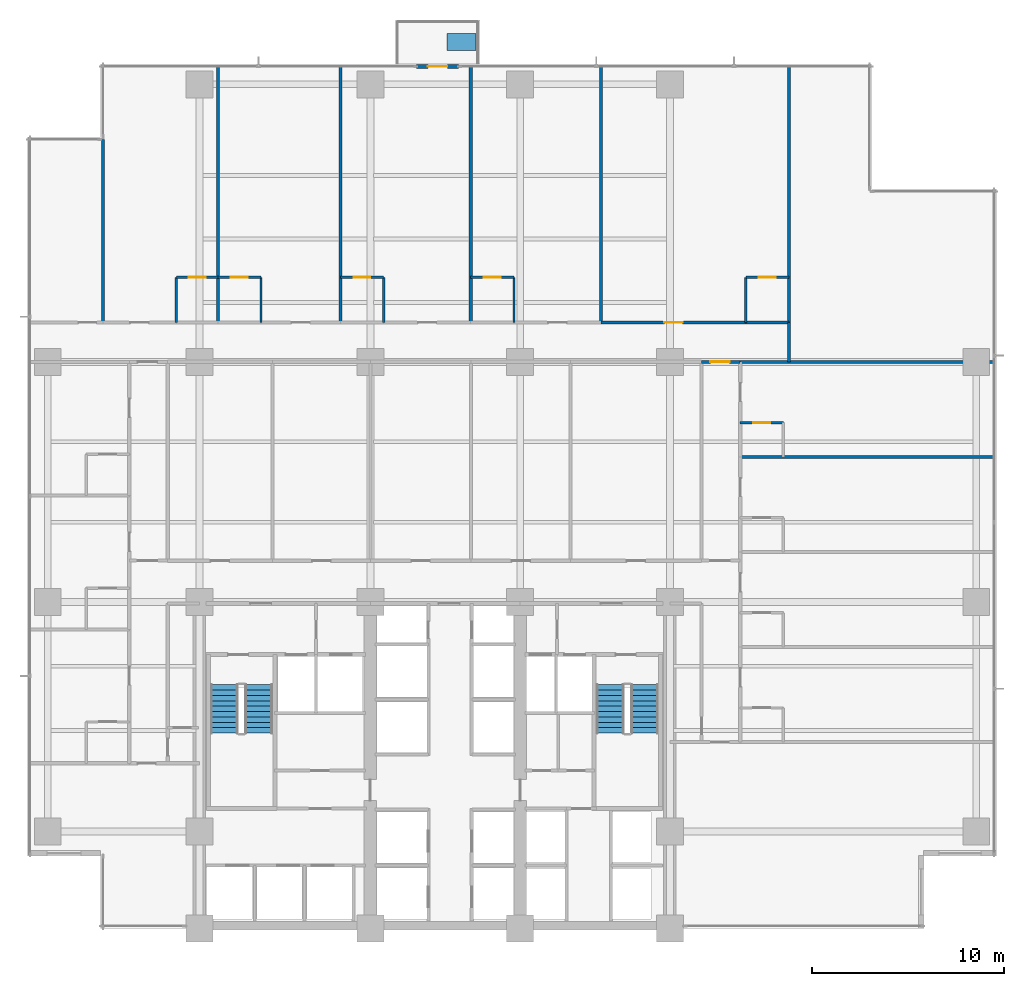
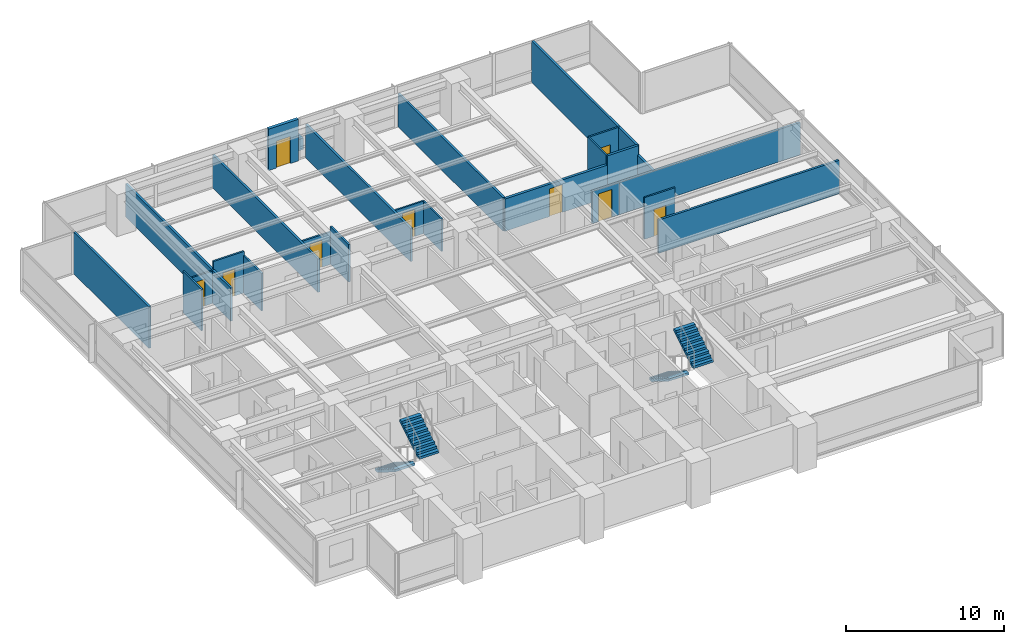
# One storey, part 11 of 16: 24 walls, 9 doors, 4 stair flights, 1 discrete accessory, 9 openings, 2 elements without a shape of their own.
"""IFC4 building model written with IfcOpenShell, lengths in metres."""

from ifc_helpers import new_model, si_unit, direction, frame, frame_2d, origin, place, context, subcontext, project, spatial, polyline, rectangle, outline, extrude, material, layer, layer_set, type_object, element, fill, aggregate, save


model = new_model("IFC4")

# Units and contexts
model_context = context("Model", 3, precision=1e-05, world=origin(), true_north=direction((0.0, 1.0)))
body_context = subcontext(model_context, "Body", "Model", "MODEL_VIEW")
ifc_project = project(units=[si_unit("LENGTHUNIT", "METRE"), si_unit("AREAUNIT", "SQUARE_METRE"), si_unit("VOLUMEUNIT", "CUBIC_METRE"), si_unit("PLANEANGLEUNIT", "RADIAN"), si_unit("MASSUNIT", "GRAM", prefix="KILO")], contexts=[model_context])

# Site, building, storey
site_placement = place(None, origin())
site = spatial("IfcSite", under=ifc_project, at=site_placement, CompositionType="ELEMENT")
building_placement = place(site_placement, origin())
building = spatial("IfcBuilding", under=site, at=building_placement, Name="Qalmaran Belvedere Hotel", CompositionType="ELEMENT")
storey_placement = place(building_placement, frame((0.0, 0.0, 36.89990234375)))
storey = spatial("IfcBuildingStorey", under=building, at=storey_placement, Name="L08", CompositionType="ELEMENT", Elevation=36.89990234375)

# Wall, opening, door
ifc_material_1 = material(Name="Anodised Bronze Cladding")
ifc_layer_1 = layer(ifc_material_1, 0.22509765625, Name="Anodised Bronze Cladding")
ifc_layer_set_1 = layer_set([ifc_layer_1], Name="Anodised Bronze Cladding")
wall_type_1 = type_object("IfcWallType", Name="WL-BAL-PORT-225", PredefinedType="SOLIDWALL", material=ifc_layer_set_1)
wall_1_placement = place(storey_placement, frame((31.60009765625, 48.3798828125, 0.0), z_axis=(0.0, 0.0, 1.0), x_axis=(1.0, 0.0, 0.0)))
wall_1 = element("IfcWall", 1, at=wall_1_placement, inside=storey, type_object=wall_type_1, Name="L08 Tree Balcony Door Portal", PredefinedType="SOLIDWALL", context=body_context, shape_type="SweptSolid", body=[
    extrude(rectangle(XDim=2.199951171875, YDim=0.22509765625, at=frame_2d((1.10009765625, 0.0))), origin(), (0.0, 0.0, 1.0), 3.22021484375),
])
opening_1_placement = place(wall_1_placement, frame((0.590087890625, 0.0, 0.0)))
opening_1 = element("IfcOpeningElement", 2, at=opening_1_placement, cuts=wall_1, Name="Opening BL-102", PredefinedType="OPENING", context=body_context, shape_type="SweptSolid", body=[
    extrude(rectangle(XDim=1.02001953125, YDim=2.10009765625, at=frame_2d((0.510009765625, 1.050048828125))), frame((0.0, 0.12255859375, 0.0), z_axis=(0.0, -1.0, 0.0), x_axis=(1.0, 0.0, 0.0)), (0.0, 0.0, 1.0), 0.2451171875),
])
ifc_material_2 = material(Name="Anodised Bronze Aluminium", Category="aluminium")
door_type_1 = type_object("IfcDoorType", Name="DR-BAL-1020X2100", OperationType="NOTDEFINED", PredefinedType="DOOR", material=ifc_material_2)
door_1_placement = place(opening_1_placement, origin())
door_1 = element("IfcDoor", 3, at=door_1_placement, inside=storey, type_object=door_type_1, Name="L08 Planted Tree Balcony Door", OperationType="SINGLE_SWING_LEFT", OverallHeight=2.10009765625, OverallWidth=1.02001953125, PredefinedType="DOOR", context=body_context, shape_type="SweptSolid", body=[
    extrude(rectangle(XDim=1.02001953125, YDim=2.10009765625, at=frame_2d((0.510009765625, 1.050048828125))), frame((0.0, 0.02490234375, 0.0), z_axis=(0.0, -1.0, 0.0), x_axis=(1.0, 0.0, 0.0)), (0.0, 0.0, 1.0), 0.050048828125),
])
fill(opening_1, door_1)

ifc_material_3 = material(Name="Moisture-Resistant Gypsum")
ifc_layer_2 = layer(ifc_material_3, 0.1201171875, Name="Moisture-Resistant Gypsum")
ifc_layer_set_2 = layer_set([ifc_layer_2], Name="Moisture-Resistant Gypsum")
wall_type_2 = type_object("IfcWallType", Name="WL-INT-120-BATH", PredefinedType="PARTITIONING", material=ifc_layer_set_2)
wall_2_placement = place(storey_placement, frame((19.096435546875, 37.39990234375, 0.0), z_axis=(0.0, 0.0, 1.0), x_axis=(1.0, 0.0, 0.0)))
wall_2 = element("IfcWall", 4, at=wall_2_placement, inside=storey, type_object=wall_type_2, Name="L08 Partition WL-L08-NBN00", PredefinedType="PARTITIONING", context=body_context, shape_type="SweptSolid", body=[
    extrude(rectangle(XDim=2.16015625, YDim=0.1201171875, at=frame_2d((1.080078125, 0.0))), origin(), (0.0, 0.0, 1.0), 2.510009765625),
])
opening_2_placement = place(wall_2_placement, frame((1.519775390625, 0.0, 0.0), z_axis=(0.0, 0.0, 1.0), x_axis=(-1.0, 0.0, 0.0)))
opening_2 = element("IfcOpeningElement", 5, at=opening_2_placement, cuts=wall_2, Name="Opening D-BATH", PredefinedType="OPENING", context=body_context, shape_type="SweptSolid", body=[
    extrude(rectangle(XDim=0.8798828125, YDim=2.080078125, at=frame_2d((0.43994140625, 1.0400390625))), frame((0.0, 0.070068359375, 0.0), z_axis=(0.0, -1.0, 0.0), x_axis=(1.0, 0.0, 0.0)), (0.0, 0.0, 1.0), 0.14013671875),
])
ifc_material_4 = material(Name="Engineered Oak Veneer")
door_type_2 = type_object("IfcDoorType", Name="DR-INT-BATH-880X2080", OperationType="NOTDEFINED", PredefinedType="DOOR", material=ifc_material_4)
door_2_placement = place(opening_2_placement, origin())
door_2 = element("IfcDoor", 6, at=door_2_placement, inside=storey, type_object=door_type_2, Name="L08 Ensuite Bathroom Door N01", OperationType="SINGLE_SWING_RIGHT", OverallHeight=2.080078125, OverallWidth=0.8798828125, PredefinedType="DOOR", context=body_context, shape_type="SweptSolid", body=[
    extrude(rectangle(XDim=0.8798828125, YDim=2.080078125, at=frame_2d((0.43994140625, 1.0400390625))), frame((0.0, 0.02490234375, 0.0), z_axis=(0.0, -1.0, 0.0), x_axis=(1.0, 0.0, 0.0)), (0.0, 0.0, 1.0), 0.050048828125),
])
fill(opening_2, door_2)

# Wall
wall_3_placement = place(storey_placement, frame((19.096435546875, 35.050048828125, 0.0), z_axis=(0.0, 0.0, 1.0), x_axis=(0.0, 1.0, 0.0)))
element("IfcWall", 7, at=wall_3_placement, inside=storey, type_object=wall_type_2, Name="L08 Partition WL-L08-NBS00", PredefinedType="PARTITIONING", context=body_context, shape_type="SweptSolid", body=[
    extrude(rectangle(XDim=2.349853515625, YDim=0.1201171875, at=frame_2d((1.1748046875, 0.0))), origin(), (0.0, 0.0, 1.0), 3.22021484375),
])

# Wall, opening, door
wall_4_placement = place(storey_placement, frame((21.256591796875, 37.39990234375, 0.0), z_axis=(0.0, 0.0, 1.0), x_axis=(1.0, 0.0, 0.0)))
wall_4 = element("IfcWall", 8, at=wall_4_placement, inside=storey, type_object=wall_type_2, Name="L08 Partition WL-L08-NBN01", PredefinedType="PARTITIONING", context=body_context, shape_type="SweptSolid", body=[
    extrude(rectangle(XDim=2.25, YDim=0.1201171875, at=frame_2d((1.125, 0.0))), origin(), (0.0, 0.0, 1.0), 3.22021484375),
])
opening_3_placement = place(wall_4_placement, frame((1.56494140625, 0.0, 0.0), z_axis=(0.0, 0.0, 1.0), x_axis=(-1.0, 0.0, 0.0)))
opening_3 = element("IfcOpeningElement", 9, at=opening_3_placement, cuts=wall_4, Name="Opening D-BATH", PredefinedType="OPENING", context=body_context, shape_type="SweptSolid", body=[
    extrude(rectangle(XDim=0.8798828125, YDim=2.080078125, at=frame_2d((0.43994140625, 1.0400390625))), frame((0.0, 0.070068359375, 0.0), z_axis=(0.0, -1.0, 0.0), x_axis=(1.0, 0.0, 0.0)), (0.0, 0.0, 1.0), 0.14013671875),
])
door_3_placement = place(opening_3_placement, origin())
door_3 = element("IfcDoor", 10, at=door_3_placement, inside=storey, type_object=door_type_2, Name="L08 Ensuite Bathroom Door N02", OperationType="SINGLE_SWING_RIGHT", OverallHeight=2.080078125, OverallWidth=0.8798828125, PredefinedType="DOOR", context=body_context, shape_type="SweptSolid", body=[
    extrude(rectangle(XDim=0.8798828125, YDim=2.080078125, at=frame_2d((0.43994140625, 1.0400390625))), frame((0.0, 0.02490234375, 0.0), z_axis=(0.0, -1.0, 0.0), x_axis=(1.0, 0.0, 0.0)), (0.0, 0.0, 1.0), 0.050048828125),
])
fill(opening_3, door_3)

# Wall
wall_5_placement = place(storey_placement, frame((23.506591796875, 35.050048828125, 0.0), z_axis=(0.0, 0.0, 1.0), x_axis=(0.0, 1.0, 0.0)))
element("IfcWall", 11, at=wall_5_placement, inside=storey, type_object=wall_type_2, Name="L08 Partition WL-L08-NBS01", PredefinedType="PARTITIONING", context=body_context, shape_type="SweptSolid", body=[
    extrude(rectangle(XDim=2.349853515625, YDim=0.1201171875, at=frame_2d((1.1748046875, 0.0))), origin(), (0.0, 0.0, 1.0), 2.902099609375),
])

# Wall, opening, door
wall_6_placement = place(storey_placement, frame((27.64208984375, 37.39990234375, 0.0), z_axis=(0.0, 0.0, 1.0), x_axis=(1.0, 0.0, 0.0)))
wall_6 = element("IfcWall", 12, at=wall_6_placement, inside=storey, type_object=wall_type_2, Name="L08 Partition WL-L08-NBN02", PredefinedType="PARTITIONING", context=body_context, shape_type="SweptSolid", body=[
    extrude(rectangle(XDim=2.25, YDim=0.1201171875, at=frame_2d((1.125, 0.0))), origin(), (0.0, 0.0, 1.0), 2.510009765625),
])
opening_4_placement = place(wall_6_placement, frame((1.56494140625, 0.0, 0.0), z_axis=(0.0, 0.0, 1.0), x_axis=(-1.0, 0.0, 0.0)))
opening_4 = element("IfcOpeningElement", 13, at=opening_4_placement, cuts=wall_6, Name="Opening D-BATH", PredefinedType="OPENING", context=body_context, shape_type="SweptSolid", body=[
    extrude(rectangle(XDim=0.8798828125, YDim=2.080078125, at=frame_2d((0.43994140625, 1.0400390625))), frame((0.0, 0.070068359375, 0.0), z_axis=(0.0, -1.0, 0.0), x_axis=(1.0, 0.0, 0.0)), (0.0, 0.0, 1.0), 0.14013671875),
])
door_4_placement = place(opening_4_placement, origin())
door_4 = element("IfcDoor", 14, at=door_4_placement, inside=storey, type_object=door_type_2, Name="L08 Ensuite Bathroom Door N03", OperationType="SINGLE_SWING_RIGHT", OverallHeight=2.080078125, OverallWidth=0.8798828125, PredefinedType="DOOR", context=body_context, shape_type="SweptSolid", body=[
    extrude(rectangle(XDim=0.8798828125, YDim=2.080078125, at=frame_2d((0.43994140625, 1.0400390625))), frame((0.0, 0.02490234375, 0.0), z_axis=(0.0, -1.0, 0.0), x_axis=(1.0, 0.0, 0.0)), (0.0, 0.0, 1.0), 0.050048828125),
])
fill(opening_4, door_4)

# Wall
wall_7_placement = place(storey_placement, frame((29.89208984375, 35.050048828125, 0.0), z_axis=(0.0, 0.0, 1.0), x_axis=(0.0, 1.0, 0.0)))
element("IfcWall", 15, at=wall_7_placement, inside=storey, type_object=wall_type_2, Name="L08 Partition WL-L08-NBS02", PredefinedType="PARTITIONING", context=body_context, shape_type="SweptSolid", body=[
    extrude(rectangle(XDim=2.349853515625, YDim=0.1201171875, at=frame_2d((1.1748046875, 0.0))), origin(), (0.0, 0.0, 1.0), 2.902099609375),
])

# Wall, opening, door
wall_8_placement = place(storey_placement, frame((34.4267578125, 37.39990234375, 0.0), z_axis=(0.0, 0.0, 1.0), x_axis=(1.0, 0.0, 0.0)))
wall_8 = element("IfcWall", 16, at=wall_8_placement, inside=storey, type_object=wall_type_2, Name="L08 Partition WL-L08-NBN03", PredefinedType="PARTITIONING", context=body_context, shape_type="SweptSolid", body=[
    extrude(rectangle(XDim=2.25, YDim=0.1201171875, at=frame_2d((1.125, 0.0))), origin(), (0.0, 0.0, 1.0), 2.510009765625),
])
opening_5_placement = place(wall_8_placement, frame((1.56494140625, 0.0, 0.0), z_axis=(0.0, 0.0, 1.0), x_axis=(-1.0, 0.0, 0.0)))
opening_5 = element("IfcOpeningElement", 17, at=opening_5_placement, cuts=wall_8, Name="Opening D-BATH", PredefinedType="OPENING", context=body_context, shape_type="SweptSolid", body=[
    extrude(rectangle(XDim=0.8798828125, YDim=2.080078125, at=frame_2d((0.43994140625, 1.0400390625))), frame((0.0, 0.070068359375, 0.0), z_axis=(0.0, -1.0, 0.0), x_axis=(1.0, 0.0, 0.0)), (0.0, 0.0, 1.0), 0.14013671875),
])
door_5_placement = place(opening_5_placement, origin())
door_5 = element("IfcDoor", 18, at=door_5_placement, inside=storey, type_object=door_type_2, Name="L08 Ensuite Bathroom Door N04", OperationType="SINGLE_SWING_RIGHT", OverallHeight=2.080078125, OverallWidth=0.8798828125, PredefinedType="DOOR", context=body_context, shape_type="SweptSolid", body=[
    extrude(rectangle(XDim=0.8798828125, YDim=2.080078125, at=frame_2d((0.43994140625, 1.0400390625))), frame((0.0, 0.02490234375, 0.0), z_axis=(0.0, -1.0, 0.0), x_axis=(1.0, 0.0, 0.0)), (0.0, 0.0, 1.0), 0.050048828125),
])
fill(opening_5, door_5)

# Wall
wall_9_placement = place(storey_placement, frame((36.6767578125, 35.050048828125, 0.0), z_axis=(0.0, 0.0, 1.0), x_axis=(0.0, 1.0, 0.0)))
element("IfcWall", 19, at=wall_9_placement, inside=storey, type_object=wall_type_2, Name="L08 Partition WL-L08-NBS03", PredefinedType="PARTITIONING", context=body_context, shape_type="SweptSolid", body=[
    extrude(rectangle(XDim=2.349853515625, YDim=0.1201171875, at=frame_2d((1.1748046875, 0.0))), origin(), (0.0, 0.0, 1.0), 2.510009765625),
])

# Wall, opening, door
wall_10_placement = place(storey_placement, frame((48.75, 37.39990234375, 0.0), z_axis=(0.0, 0.0, 1.0), x_axis=(1.0, 0.0, 0.0)))
wall_10 = element("IfcWall", 20, at=wall_10_placement, inside=storey, type_object=wall_type_2, Name="L08 Partition WL-L08-NBN04", PredefinedType="PARTITIONING", context=body_context, shape_type="SweptSolid", body=[
    extrude(rectangle(XDim=2.25, YDim=0.1201171875, at=frame_2d((1.125, 0.0))), origin(), (0.0, 0.0, 1.0), 3.22021484375),
])
opening_6_placement = place(wall_10_placement, frame((1.56494140625, 0.0, 0.0), z_axis=(0.0, 0.0, 1.0), x_axis=(-1.0, 0.0, 0.0)))
opening_6 = element("IfcOpeningElement", 21, at=opening_6_placement, cuts=wall_10, Name="Opening D-BATH", PredefinedType="OPENING", context=body_context, shape_type="SweptSolid", body=[
    extrude(rectangle(XDim=0.8798828125, YDim=2.080078125, at=frame_2d((0.43994140625, 1.0400390625))), frame((0.0, 0.070068359375, 0.0), z_axis=(0.0, -1.0, 0.0), x_axis=(1.0, 0.0, 0.0)), (0.0, 0.0, 1.0), 0.14013671875),
])
door_6_placement = place(opening_6_placement, origin())
door_6 = element("IfcDoor", 22, at=door_6_placement, inside=storey, type_object=door_type_2, Name="L08 Ensuite Bathroom Door N05", OperationType="SINGLE_SWING_RIGHT", OverallHeight=2.080078125, OverallWidth=0.8798828125, PredefinedType="DOOR", context=body_context, shape_type="SweptSolid", body=[
    extrude(rectangle(XDim=0.8798828125, YDim=2.080078125, at=frame_2d((0.43994140625, 1.0400390625))), frame((0.0, 0.02490234375, 0.0), z_axis=(0.0, -1.0, 0.0), x_axis=(1.0, 0.0, 0.0)), (0.0, 0.0, 1.0), 0.050048828125),
])
fill(opening_6, door_6)

# Wall
wall_11_placement = place(storey_placement, frame((48.75, 35.050048828125, 0.0), z_axis=(0.0, 0.0, 1.0), x_axis=(0.0, 1.0, 0.0)))
element("IfcWall", 23, at=wall_11_placement, inside=storey, type_object=wall_type_2, Name="L08 Partition WL-L08-NBS04", PredefinedType="PARTITIONING", context=body_context, shape_type="SweptSolid", body=[
    extrude(rectangle(XDim=2.349853515625, YDim=0.1201171875, at=frame_2d((1.1748046875, 0.0))), origin(), (0.0, 0.0, 1.0), 3.22021484375),
])

# Wall, opening, door
wall_12_placement = place(storey_placement, frame((48.449951171875, 29.830078125, 0.0), z_axis=(0.0, 0.0, 1.0), x_axis=(1.0, 0.0, 0.0)))
wall_12 = element("IfcWall", 24, at=wall_12_placement, inside=storey, type_object=wall_type_2, Name="L08 Partition WL-L08-EBN03", PredefinedType="PARTITIONING", context=body_context, shape_type="SweptSolid", body=[
    extrude(rectangle(XDim=2.25, YDim=0.1201171875, at=frame_2d((1.125, 0.0))), origin(), (0.0, 0.0, 1.0), 3.22021484375),
])
opening_7_placement = place(wall_12_placement, frame((1.56494140625, 0.0, 0.0), z_axis=(0.0, 0.0, 1.0), x_axis=(-1.0, 0.0, 0.0)))
opening_7 = element("IfcOpeningElement", 25, at=opening_7_placement, cuts=wall_12, Name="Opening D-BATH", PredefinedType="OPENING", context=body_context, shape_type="SweptSolid", body=[
    extrude(rectangle(XDim=0.8798828125, YDim=2.080078125, at=frame_2d((0.43994140625, 1.0400390625))), frame((0.0, 0.070068359375, 0.0), z_axis=(0.0, -1.0, 0.0), x_axis=(1.0, 0.0, 0.0)), (0.0, 0.0, 1.0), 0.14013671875),
])
door_7_placement = place(opening_7_placement, origin())
door_7 = element("IfcDoor", 26, at=door_7_placement, inside=storey, type_object=door_type_2, Name="L08 E Ensuite Door 04", OperationType="SINGLE_SWING_RIGHT", OverallHeight=2.080078125, OverallWidth=0.8798828125, PredefinedType="DOOR", context=body_context, shape_type="SweptSolid", body=[
    extrude(rectangle(XDim=0.8798828125, YDim=2.080078125, at=frame_2d((0.43994140625, 1.0400390625))), frame((0.0, 0.02490234375, 0.0), z_axis=(0.0, -1.0, 0.0), x_axis=(1.0, 0.0, 0.0)), (0.0, 0.0, 1.0), 0.050048828125),
])
fill(opening_7, door_7)

ifc_material_5 = material(Name="Gypsum Stud Partition")
ifc_layer_3 = layer(ifc_material_5, 0.14990234375, Name="Gypsum Stud Partition")
ifc_layer_set_3 = layer_set([ifc_layer_3], Name="Gypsum Stud Partition")
wall_type_3 = type_object("IfcWallType", Name="WL-INT-150-EI60", PredefinedType="PARTITIONING", material=ifc_layer_set_3)
wall_13_placement = place(storey_placement, frame((46.449951171875, 33.0, 0.0), z_axis=(0.0, 0.0, 1.0), x_axis=(1.0, 0.0, 0.0)))
wall_13 = element("IfcWall", 27, at=wall_13_placement, inside=storey, type_object=wall_type_3, Name="L08 Partition WL-L08-XCE2", PredefinedType="PARTITIONING", context=body_context, shape_type="SweptSolid", body=[
    extrude(rectangle(XDim=2.0, YDim=0.14990234375, at=frame_2d((1.0, 0.0))), origin(), (0.0, 0.0, 1.0), 2.510009765625),
])
opening_8_placement = place(wall_13_placement, frame((0.449951171875, 0.0, 0.0)))
opening_8 = element("IfcOpeningElement", 28, at=opening_8_placement, cuts=wall_13, Name="Opening FD90B", PredefinedType="OPENING", context=body_context, shape_type="SweptSolid", body=[
    extrude(rectangle(XDim=1.0, YDim=2.14990234375, at=frame_2d((0.5, 1.074951171875))), frame((0.0, 0.0849609375, 0.0), z_axis=(0.0, -1.0, 0.0), x_axis=(1.0, 0.0, 0.0)), (0.0, 0.0, 1.0), 0.169921875),
])
ifc_material_6 = material(Name="Steel S355JR", Category="steel")
door_type_3 = type_object("IfcDoorType", Name="DR-FD90B-1000X2150", OperationType="NOTDEFINED", PredefinedType="DOOR", material=ifc_material_6)
door_8_placement = place(opening_8_placement, origin())
door_8 = element("IfcDoor", 29, at=door_8_placement, inside=storey, type_object=door_type_3, Name="L08 East Corridor Smoke Door N", OperationType="SINGLE_SWING_RIGHT", OverallHeight=2.14990234375, OverallWidth=1.0, PredefinedType="DOOR", context=body_context, shape_type="SweptSolid", body=[
    extrude(rectangle(XDim=1.0, YDim=2.14990234375, at=frame_2d((0.5, 1.074951171875))), frame((0.0, 0.02490234375, 0.0), z_axis=(0.0, -1.0, 0.0), x_axis=(1.0, 0.0, 0.0)), (0.0, 0.0, 1.0), 0.050048828125),
])
fill(opening_8, door_8)

# Walls
ifc_layer_4 = layer(ifc_material_5, 0.159912109375, Name="Gypsum Stud Partition")
ifc_layer_set_4 = layer_set([ifc_layer_4], Name="Gypsum Stud Partition")
wall_type_4 = type_object("IfcWallType", Name="WL-INT-160-EI60", PredefinedType="PARTITIONING", material=ifc_layer_set_4)
wall_14_placement = place(storey_placement, frame((51.0, 33.0, 0.0), z_axis=(0.0, 0.0, 1.0), x_axis=(0.0, 1.0, 0.0)))
element("IfcWall", 30, at=wall_14_placement, inside=storey, type_object=wall_type_4, Name="L08 Partition WL-L08-NCGE", PredefinedType="PARTITIONING", context=body_context, shape_type="SweptSolid", body=[
    extrude(rectangle(XDim=2.050048828125, YDim=0.159912109375, at=frame_2d((1.02490234375, 0.0))), origin(), (0.0, 0.0, 1.0), 2.510009765625),
])
wall_15_placement = place(storey_placement, frame((15.27001953125, 35.050048828125, 0.0), z_axis=(0.0, 0.0, 1.0), x_axis=(0.0, 1.0, 0.0)))
element("IfcWall", 31, at=wall_15_placement, inside=storey, type_object=wall_type_4, Name="L08 Partition WL-L08-NUL", PredefinedType="PARTITIONING", context=body_context, shape_type="SweptSolid", body=[
    extrude(rectangle(XDim=9.530029296875, YDim=0.159912109375, at=frame_2d((4.76513671875, 0.0))), origin(), (0.0, 0.0, 1.0), 3.22021484375),
])
for number, where, z_axis, x_axis, name in (
    (32, (21.256591796875, 35.050048828125, 0.0), (0.0, 0.0, 1.0), (0.0, 1.0, 0.0), "L08 Partition WL-L08-NUR00"),
    (33, (27.64208984375, 35.050048828125, 0.0), (0.0, 0.0, 1.0), (0.0, 1.0, 0.0), "L08 Partition WL-L08-NUR01"),
    (34, (34.4267578125, 35.050048828125, 0.0), (0.0, 0.0, 1.0), (0.0, 1.0, 0.0), "L08 Partition WL-L08-NUR02"),
    (35, (41.21142578125, 35.050048828125, 0.0), (0.0, 0.0, 1.0), (0.0, 1.0, 0.0), "L08 Partition WL-L08-NUR03"),
):
    element("IfcWall", number, at=place(storey_placement, frame(where, z_axis=z_axis, x_axis=x_axis)), inside=storey, type_object=wall_type_4, Name=name, PredefinedType="PARTITIONING", context=body_context, shape_type="SweptSolid", body=[
        extrude(rectangle(XDim=13.329833984375, YDim=0.159912109375, at=frame_2d((6.6650390625, 0.0))), origin(), (0.0, 0.0, 1.0), 2.5830078125),
    ])
wall_16_placement = place(storey_placement, frame((51.0, 35.050048828125, 0.0), z_axis=(0.0, 0.0, 1.0), x_axis=(0.0, 1.0, 0.0)))
element("IfcWall", 36, at=wall_16_placement, inside=storey, type_object=wall_type_4, Name="L08 Partition WL-L08-NUR04", PredefinedType="PARTITIONING", context=body_context, shape_type="SweptSolid", body=[
    extrude(rectangle(XDim=13.329833984375, YDim=0.159912109375, at=frame_2d((6.6650390625, 0.0))), origin(), (0.0, 0.0, 1.0), 3.22021484375),
])
wall_17_placement = place(storey_placement, frame((48.449951171875, 28.050048828125, 0.0), z_axis=(0.0, 0.0, 1.0), x_axis=(1.0, 0.0, 0.0)))
element("IfcWall", 37, at=wall_17_placement, inside=storey, type_object=wall_type_4, Name="L08 Partition WL-L08-EU02", PredefinedType="PARTITIONING", context=body_context, shape_type="SweptSolid", body=[
    extrude(rectangle(XDim=13.22998046875, YDim=0.159912109375, at=frame_2d((6.614990234375, 0.0))), origin(), (0.0, 0.0, 1.0), 2.5830078125),
])
wall_18_placement = place(storey_placement, frame((48.449951171875, 33.0, 0.0), z_axis=(0.0, 0.0, 1.0), x_axis=(1.0, 0.0, 0.0)))
element("IfcWall", 38, at=wall_18_placement, inside=storey, type_object=wall_type_4, Name="L08 Partition WL-L08-EU03", PredefinedType="PARTITIONING", context=body_context, shape_type="SweptSolid", body=[
    extrude(rectangle(XDim=13.22998046875, YDim=0.159912109375, at=frame_2d((6.614990234375, 0.0))), origin(), (0.0, 0.0, 1.0), 2.510009765625),
])
ifc_layer_5 = layer(ifc_material_5, 0.179931640625, Name="Gypsum Stud Partition")
ifc_layer_set_5 = layer_set([ifc_layer_5], Name="Gypsum Stud Partition")
wall_type_5 = type_object("IfcWallType", Name="WL-INT-180-EI60", PredefinedType="PARTITIONING", material=ifc_layer_set_5)
wall_19_placement = place(storey_placement, frame((48.75, 35.050048828125, 0.0), z_axis=(0.0, 0.0, 1.0), x_axis=(1.0, 0.0, 0.0)))
element("IfcWall", 39, at=wall_19_placement, inside=storey, type_object=wall_type_5, Name="L08 Partition WL-L08-NBC04", PredefinedType="PARTITIONING", context=body_context, shape_type="SweptSolid", body=[
    extrude(rectangle(XDim=2.25, YDim=0.179931640625, at=frame_2d((1.125, 0.0))), origin(), (0.0, 0.0, 1.0), 3.22021484375),
])

# Wall, opening, door
wall_20_placement = place(storey_placement, frame((41.21142578125, 35.050048828125, 0.0), z_axis=(0.0, 0.0, 1.0), x_axis=(1.0, 0.0, 0.0)))
wall_20 = element("IfcWall", 40, at=wall_20_placement, inside=storey, type_object=wall_type_5, Name="L08 Partition WL-L08-NEC04", PredefinedType="PARTITIONING", context=body_context, shape_type="SweptSolid", body=[
    extrude(rectangle(XDim=7.53857421875, YDim=0.179931640625, at=frame_2d((3.769287109375, 0.0))), origin(), (0.0, 0.0, 1.0), 2.510009765625),
])
opening_9_placement = place(wall_20_placement, frame((3.294189453125, 0.0, 0.0)))
opening_9 = element("IfcOpeningElement", 41, at=opening_9_placement, cuts=wall_20, Name="Opening FD60", PredefinedType="OPENING", context=body_context, shape_type="SweptSolid", body=[
    extrude(rectangle(XDim=0.949951171875, YDim=2.14990234375, at=frame_2d((0.47509765625, 1.074951171875))), frame((0.0, 0.10009765625, 0.0), z_axis=(0.0, -1.0, 0.0), x_axis=(1.0, 0.0, 0.0)), (0.0, 0.0, 1.0), 0.199951171875),
])
door_type_4 = type_object("IfcDoorType", Name="DR-FD60-950X2150", OperationType="NOTDEFINED", PredefinedType="DOOR", material=ifc_material_4)
door_9_placement = place(opening_9_placement, origin())
door_9 = element("IfcDoor", 42, at=door_9_placement, inside=storey, type_object=door_type_4, Name="L08 Guest Entrance Door N05", OperationType="SINGLE_SWING_LEFT", OverallHeight=2.14990234375, OverallWidth=0.949951171875, PredefinedType="DOOR", context=body_context, shape_type="SweptSolid", body=[
    extrude(rectangle(XDim=0.949951171875, YDim=2.14990234375, at=frame_2d((0.47509765625, 1.074951171875))), frame((0.0, 0.02490234375, 0.0), z_axis=(0.0, -1.0, 0.0), x_axis=(1.0, 0.0, 0.0)), (0.0, 0.0, 1.0), 0.050048828125),
])
fill(opening_9, door_9)

# Stair, stair flights
ifc_material_7 = material(Name="Concrete C40/50", Category="concrete")
stair_type_1 = type_object("IfcStairType", Name="STR-ST-1-1450-R1750", PredefinedType="HALF_TURN_STAIR", material=ifc_material_7)
stair_1_placement = place(storey_placement, origin())
stair_1 = element("IfcStair", 43, at=stair_1_placement, inside=storey, type_object=stair_type_1, Name="L08 West Core Exit Stair ST-1", PredefinedType="HALF_TURN_STAIR")
ifc_layer_6 = layer(ifc_material_7, 0.14990234375, Name="Concrete C40/50")
ifc_layer_set_6 = layer_set([ifc_layer_6], Name="Concrete C40/50")
stair_flight_type_1 = type_object("IfcStairFlightType", Name="STF-ST-1-1450-R1750", PredefinedType="STRAIGHT", material=ifc_layer_set_6)
stair_flight_1_placement = place(storey_placement, frame((21.60498046875, 16.18994140625, 0.0), z_axis=(0.0, 0.0, 1.0), x_axis=(0.0, -1.0, 0.0)))
stair_flight_1 = element("IfcStairFlight", 44, at=stair_flight_1_placement, type_object=stair_flight_type_1, Name="ST-1 flight 1", NumberOfRisers=10, NumberOfTreads=9, PredefinedType="STRAIGHT", RiserHeight=0.175, TreadLength=0.28, context=body_context, shape_type="SweptSolid", body=[
    extrude(outline(polyline([(0.0, 0.0), (0.0, 0.175048828125), (0.280029296875, 0.175048828125), (0.280029296875, 0.35009765625), (0.56005859375, 0.35009765625), (0.56005859375, 0.52490234375), (0.840087890625, 0.52490234375), (0.840087890625, 0.699951171875), (1.1201171875, 0.699951171875), (1.1201171875, 0.875), (1.39990234375, 0.875), (1.39990234375, 1.050048828125), (1.679931640625, 1.050048828125), (1.679931640625, 1.22509765625), (1.9599609375, 1.22509765625), (1.9599609375, 1.39990234375), (2.239990234375, 1.39990234375), (2.239990234375, 1.574951171875), (2.52001953125, 1.574951171875), (2.52001953125, 1.75), (2.52001953125, 1.398193359375), (0.28271484375, 0.0), (0.0, 0.0)])), frame((0.0, 0.72509765625, 0.0), z_axis=(0.0, -1.0, 0.0), x_axis=(1.0, 0.0, 0.0)), (0.0, 0.0, 1.0), 1.449951171875),
])
stair_flight_2_placement = place(storey_placement, frame((23.39501953125, 13.669921875, 1.75), z_axis=(0.0, 0.0, 1.0), x_axis=(0.0, 1.0, 0.0)))
stair_flight_2 = element("IfcStairFlight", 45, at=stair_flight_2_placement, type_object=stair_flight_type_1, Name="ST-1 flight 2", NumberOfRisers=10, NumberOfTreads=9, PredefinedType="STRAIGHT", RiserHeight=0.175, TreadLength=0.28, context=body_context, shape_type="SweptSolid", body=[
    extrude(outline(polyline([(0.0, 0.0), (0.0, 0.175048828125), (0.280029296875, 0.175048828125), (0.280029296875, 0.35009765625), (0.56005859375, 0.35009765625), (0.56005859375, 0.52490234375), (0.840087890625, 0.52490234375), (0.840087890625, 0.699951171875), (1.1201171875, 0.699951171875), (1.1201171875, 0.875), (1.39990234375, 0.875), (1.39990234375, 1.050048828125), (1.679931640625, 1.050048828125), (1.679931640625, 1.22509765625), (1.9599609375, 1.22509765625), (1.9599609375, 1.39990234375), (2.239990234375, 1.39990234375), (2.239990234375, 1.574951171875), (2.52001953125, 1.574951171875), (2.52001953125, 1.75), (2.52001953125, 1.398193359375), (0.28271484375, 0.0), (0.0, 0.0)])), frame((0.0, 0.72509765625, 0.0), z_axis=(0.0, -1.0, 0.0), x_axis=(1.0, 0.0, 0.0)), (0.0, 0.0, 1.0), 1.449951171875),
])
aggregate(stair_1, [stair_flight_1, stair_flight_2])

stair_type_2 = type_object("IfcStairType", Name="STR-ST-2-1450-R1750", PredefinedType="HALF_TURN_STAIR", material=ifc_material_7)
stair_2_placement = place(storey_placement, origin())
stair_2 = element("IfcStair", 46, at=stair_2_placement, inside=storey, type_object=stair_type_2, Name="L08 East Core Exit Stair ST-2", PredefinedType="HALF_TURN_STAIR")
ifc_layer_7 = layer(ifc_material_7, 0.14990234375, Name="Concrete C40/50")
ifc_layer_set_7 = layer_set([ifc_layer_7], Name="Concrete C40/50")
stair_flight_type_2 = type_object("IfcStairFlightType", Name="STF-ST-2-1450-R1750", PredefinedType="STRAIGHT", material=ifc_layer_set_7)
stair_flight_3_placement = place(storey_placement, frame((41.68505859375, 16.18994140625, 0.0), z_axis=(0.0, 0.0, 1.0), x_axis=(0.0, -1.0, 0.0)))
stair_flight_3 = element("IfcStairFlight", 47, at=stair_flight_3_placement, type_object=stair_flight_type_2, Name="ST-2 flight 1", NumberOfRisers=10, NumberOfTreads=9, PredefinedType="STRAIGHT", RiserHeight=0.175, TreadLength=0.28, context=body_context, shape_type="SweptSolid", body=[
    extrude(outline(polyline([(0.0, 0.0), (0.0, 0.175048828125), (0.280029296875, 0.175048828125), (0.280029296875, 0.35009765625), (0.56005859375, 0.35009765625), (0.56005859375, 0.52490234375), (0.840087890625, 0.52490234375), (0.840087890625, 0.699951171875), (1.1201171875, 0.699951171875), (1.1201171875, 0.875), (1.39990234375, 0.875), (1.39990234375, 1.050048828125), (1.679931640625, 1.050048828125), (1.679931640625, 1.22509765625), (1.9599609375, 1.22509765625), (1.9599609375, 1.39990234375), (2.239990234375, 1.39990234375), (2.239990234375, 1.574951171875), (2.52001953125, 1.574951171875), (2.52001953125, 1.75), (2.52001953125, 1.398193359375), (0.28271484375, 0.0), (0.0, 0.0)])), frame((0.0, 0.72509765625, 0.0), z_axis=(0.0, -1.0, 0.0), x_axis=(1.0, 0.0, 0.0)), (0.0, 0.0, 1.0), 1.449951171875),
])
stair_flight_4_placement = place(storey_placement, frame((43.47509765625, 13.669921875, 1.75), z_axis=(0.0, 0.0, 1.0), x_axis=(0.0, 1.0, 0.0)))
stair_flight_4 = element("IfcStairFlight", 48, at=stair_flight_4_placement, type_object=stair_flight_type_2, Name="ST-2 flight 2", NumberOfRisers=10, NumberOfTreads=9, PredefinedType="STRAIGHT", RiserHeight=0.175, TreadLength=0.28, context=body_context, shape_type="SweptSolid", body=[
    extrude(outline(polyline([(0.0, 0.0), (0.0, 0.175048828125), (0.280029296875, 0.175048828125), (0.280029296875, 0.35009765625), (0.56005859375, 0.35009765625), (0.56005859375, 0.52490234375), (0.840087890625, 0.52490234375), (0.840087890625, 0.699951171875), (1.1201171875, 0.699951171875), (1.1201171875, 0.875), (1.39990234375, 0.875), (1.39990234375, 1.050048828125), (1.679931640625, 1.050048828125), (1.679931640625, 1.22509765625), (1.9599609375, 1.22509765625), (1.9599609375, 1.39990234375), (2.239990234375, 1.39990234375), (2.239990234375, 1.574951171875), (2.52001953125, 1.574951171875), (2.52001953125, 1.75), (2.52001953125, 1.398193359375), (0.28271484375, 0.0), (0.0, 0.0)])), frame((0.0, 0.72509765625, 0.0), z_axis=(0.0, -1.0, 0.0), x_axis=(1.0, 0.0, 0.0)), (0.0, 0.0, 1.0), 1.449951171875),
])
aggregate(stair_2, [stair_flight_3, stair_flight_4])

# Discrete accessory
discrete_accessory_type = type_object("IfcDiscreteAccessoryType", Name="PLN-BAL-1500", PredefinedType="USERDEFINED", material=ifc_material_7)
discrete_accessory_placement = place(storey_placement, origin())
element("IfcDiscreteAccessory", 49, at=discrete_accessory_placement, inside=storey, type_object=discrete_accessory_type, Name="L08 Sky Tree Planter", ObjectType="PLANTER", PredefinedType="USERDEFINED", context=body_context, shape_type="SweptSolid", body=[
    extrude(outline(polyline([(33.199951171875, 49.199951171875), (34.699951171875, 49.199951171875), (34.699951171875, 50.10009765625), (33.199951171875, 50.10009765625), (33.199951171875, 49.199951171875)])), origin(), (0.0, 0.0, 1.0), 0.900146484375),
])

save(model, "model.ifc")
